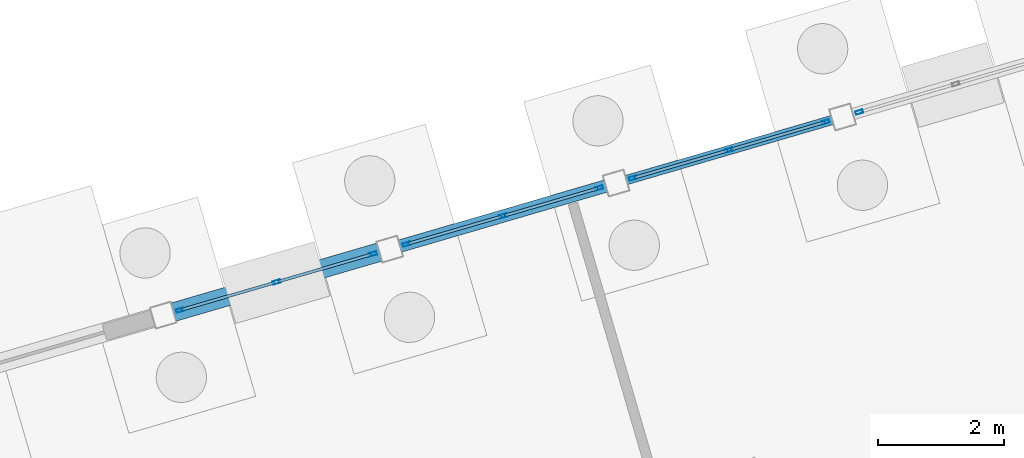
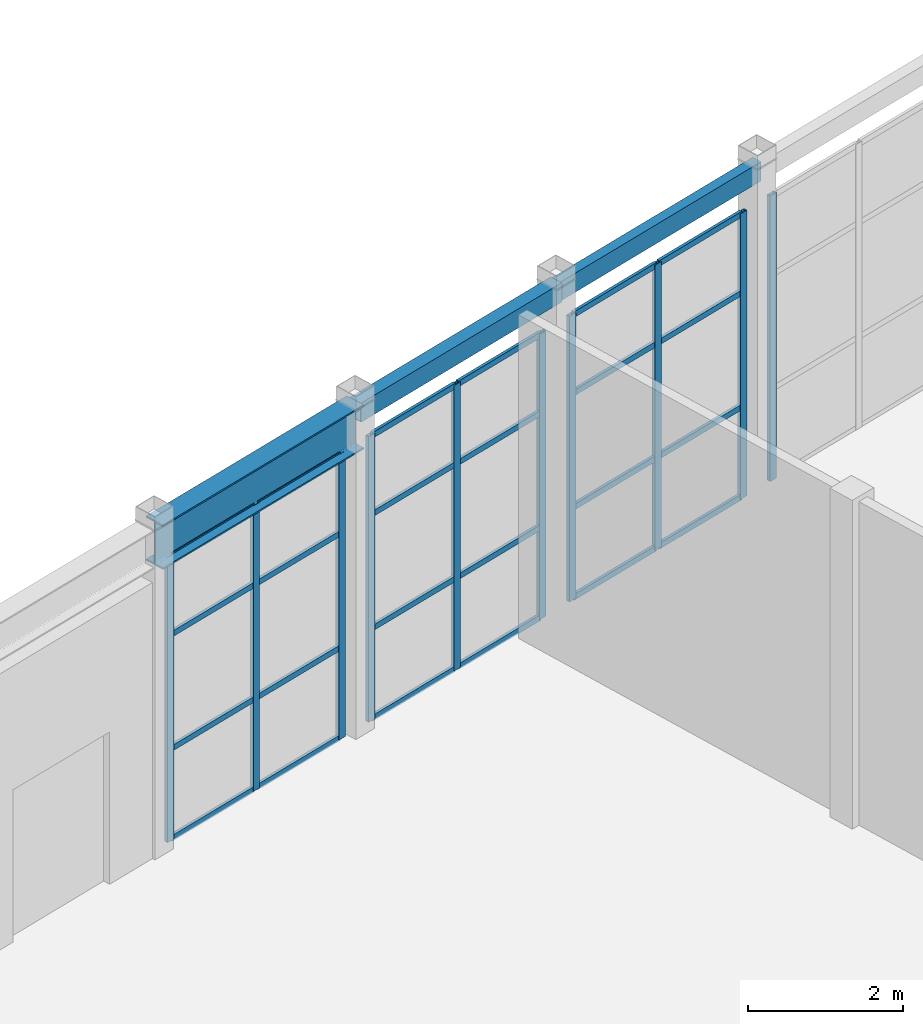
# One storey, part 41 of 90: 34 members, 3 beams, 4 elements without a shape of their own.
"""IFC4 building model written with IfcOpenShell, lengths in metres."""

from ifc_helpers import new_model, si_unit, direction, frame, origin, origin_2d, place, context, subcontext, project, spatial, hollow_rectangle, i_section, extrude, material, layer, layer_set, material_profile, profile_set, type_object, element, aggregate, save


model = new_model("IFC4")

# Units and contexts
model_context = context("Model", 3, precision=1e-05, world=origin(), true_north=direction((0.0, 1.0)))
body_context = subcontext(model_context, "Body", "Model", "MODEL_VIEW")
ifc_project = project(units=[si_unit("LENGTHUNIT", "METRE"), si_unit("AREAUNIT", "SQUARE_METRE"), si_unit("VOLUMEUNIT", "CUBIC_METRE"), si_unit("PLANEANGLEUNIT", "RADIAN"), si_unit("MASSUNIT", "GRAM", prefix="KILO")], contexts=[model_context])

# Site, building, storey
site_placement = place(None, origin())
site = spatial("IfcSite", under=ifc_project, at=site_placement, CompositionType="ELEMENT")
building_placement = place(site_placement, origin())
building = spatial("IfcBuilding", under=site, at=building_placement, Name="Canggui Botanical Conservatory", CompositionType="ELEMENT")
storey_placement = place(building_placement, origin())
storey = spatial("IfcBuildingStorey", under=building, at=storey_placement, Name="L01", CompositionType="ELEMENT", Elevation=0.0)

# Beams
ifc_material_1 = material(Name="Steel Q355B", Category="steel")
ifc_material_profile_1 = material_profile(ifc_material_1, i_section(OverallWidth=0.300048828125, OverallDepth=0.699951171875, WebThickness=0.012939453125, FlangeThickness=0.02392578125, FilletRadius=0.02587890625, at=origin_2d()), Name="HN 700x300x13x24")
ifc_profile_set_1 = profile_set([ifc_material_profile_1], Name="Steel Q355B")
beam_type_1 = type_object("IfcBeamType", Name="BM-GL10", PredefinedType="BEAM", material=ifc_profile_set_1)
beam_1_placement = place(storey_placement, frame((22.39990234375, 73.949951171875, 4.824951171875), z_axis=(0.959998541695, 0.280004999853, 0.0), x_axis=(-0.280004999853, 0.959998541695, 0.0)))
element("IfcBeam", 1, at=beam_1_placement, inside=storey, type_object=beam_type_1, Name="Conservatory Skywalk Perimeter Girder V1-04", PredefinedType="BEAM", context=body_context, shape_type="SweptSolid", body=[
    extrude(i_section(OverallWidth=0.300048828125, OverallDepth=0.699951171875, WebThickness=0.012939453125, FlangeThickness=0.02392578125, FilletRadius=0.02587890625, at=origin_2d()), origin(), (0.0, 0.0, 1.0), 3.75),
])
ifc_material_profile_2 = material_profile(ifc_material_1, hollow_rectangle(XDim=0.199951171875, YDim=0.300048828125, WallThickness=0.010009765625, at=origin_2d()), Name="RHS 200x300x10")
ifc_profile_set_2 = profile_set([ifc_material_profile_2], Name="Steel Q355B")
beam_type_2 = type_object("IfcBeamType", Name="BM-GL11", PredefinedType="BEAM", material=ifc_profile_set_2)
beam_2_placement = place(storey_placement, frame((26.0, 75.0, 5.02490234375), z_axis=(0.959998541695, 0.280004999853, 0.0), x_axis=(-0.280004999853, 0.959998541695, 0.0)))
element("IfcBeam", 2, at=beam_2_placement, inside=storey, type_object=beam_type_2, Name="Conservatory Skywalk Perimeter Girder V1-05", PredefinedType="BEAM", context=body_context, shape_type="SweptSolid", body=[
    extrude(hollow_rectangle(XDim=0.199951171875, YDim=0.300048828125, WallThickness=0.010009765625, at=origin_2d()), origin(), (0.0, 0.0, 1.0), 3.75),
])
ifc_material_profile_3 = material_profile(ifc_material_1, hollow_rectangle(XDim=0.14990234375, YDim=0.300048828125, WallThickness=0.010009765625, at=origin_2d()), Name="RHS 150x300x10")
ifc_profile_set_3 = profile_set([ifc_material_profile_3], Name="Steel Q355B")
beam_type_3 = type_object("IfcBeamType", Name="BM-GL12", PredefinedType="BEAM", material=ifc_profile_set_3)
beam_3_placement = place(storey_placement, frame((29.60009765625, 76.050048828125, 5.02490234375), z_axis=(0.959993437014, 0.280022500685, 0.0), x_axis=(-0.280022500685, 0.959993437014, 0.0)))
element("IfcBeam", 3, at=beam_3_placement, inside=storey, type_object=beam_type_3, Name="Conservatory Skywalk Perimeter Girder V1-06", PredefinedType="BEAM", context=body_context, shape_type="SweptSolid", body=[
    extrude(hollow_rectangle(XDim=0.14990234375, YDim=0.300048828125, WallThickness=0.010009765625, at=origin_2d()), origin(), (0.0, 0.0, 1.0), 3.749755859375),
])

# Curtain wall, members
ifc_material_2 = material(Name="Thermally Broken Aluminium", Category="aluminium")
ifc_layer = layer(ifc_material_2, 0.1201171875, Name="Thermally Broken Aluminium", Category="aluminium")
ifc_layer_set = layer_set([ifc_layer], Name="Thermally Broken Aluminium")
curtain_wall_type = type_object("IfcCurtainWallType", Name="CW-STICK-B", PredefinedType="USERDEFINED", material=ifc_layer_set)
curtain_wall_1_placement = place(storey_placement, origin())
curtain_wall_1 = element("IfcCurtainWall", 4, at=curtain_wall_1_placement, inside=storey, type_object=curtain_wall_type, Name="Facade Curtain Wall CW-CONS-L01-V1-04", ObjectType="STICK GLAZED WALL", PredefinedType="USERDEFINED")
ifc_material_profile_4 = material_profile(ifc_material_2, hollow_rectangle(XDim=0.054931640625, YDim=0.1201171875, WallThickness=0.0029296875, at=origin_2d()), Name="CWM 55x120x3")
ifc_profile_set_4 = profile_set([ifc_material_profile_4], Name="Thermally Broken Aluminium")
member_type_1 = type_object("IfcMemberType", Name="CWM-05", PredefinedType="MULLION", material=ifc_profile_set_4)
member_1_placement = place(storey_placement, frame((22.66650390625, 74.027587890625, 0.0), z_axis=(0.0, 0.0, 1.0), x_axis=(-0.279999999995, 0.960000000002, 0.0)))
member_1 = element("IfcMember", 5, at=member_1_placement, type_object=member_type_1, Name="CW-05 mullion 1", PredefinedType="MULLION", context=body_context, shape_type="SweptSolid", body=[
    extrude(hollow_rectangle(XDim=0.054931640625, YDim=0.1201171875, WallThickness=0.0029296875, at=origin_2d()), origin(), (0.0, 0.0, 1.0), 4.5),
])
member_2_placement = place(storey_placement, frame((24.199951171875, 74.47509765625, 0.0), z_axis=(0.0, 0.0, 1.0), x_axis=(-0.279999999995, 0.960000000002, 0.0)))
member_2 = element("IfcMember", 6, at=member_2_placement, type_object=member_type_1, Name="CW-05 mullion 2", PredefinedType="MULLION", context=body_context, shape_type="SweptSolid", body=[
    extrude(hollow_rectangle(XDim=0.054931640625, YDim=0.1201171875, WallThickness=0.0029296875, at=origin_2d()), origin(), (0.0, 0.0, 1.0), 4.5),
])
member_3_placement = place(storey_placement, frame((25.733642578125, 74.92236328125, 0.0), z_axis=(0.0, 0.0, 1.0), x_axis=(-0.279999999995, 0.960000000002, 0.0)))
member_3 = element("IfcMember", 7, at=member_3_placement, type_object=member_type_1, Name="CW-05 mullion 3", PredefinedType="MULLION", context=body_context, shape_type="SweptSolid", body=[
    extrude(hollow_rectangle(XDim=0.054931640625, YDim=0.1201171875, WallThickness=0.0029296875, at=origin_2d()), origin(), (0.0, 0.0, 1.0), 4.5),
])

curtain_wall_2_placement = place(storey_placement, origin())
curtain_wall_2 = element("IfcCurtainWall", 8, at=curtain_wall_2_placement, inside=storey, type_object=curtain_wall_type, Name="Facade Curtain Wall CW-CONS-L01-V1-05", ObjectType="STICK GLAZED WALL", PredefinedType="USERDEFINED")
member_4_placement = place(storey_placement, frame((26.266357421875, 75.07763671875, 0.0), z_axis=(0.0, 0.0, 1.0), x_axis=(-0.279999999995, 0.960000000002, 0.0)))
member_4 = element("IfcMember", 9, at=member_4_placement, type_object=member_type_1, Name="CW-05 mullion 1", PredefinedType="MULLION", context=body_context, shape_type="SweptSolid", body=[
    extrude(hollow_rectangle(XDim=0.054931640625, YDim=0.1201171875, WallThickness=0.0029296875, at=origin_2d()), origin(), (0.0, 0.0, 1.0), 4.5),
])
member_5_placement = place(storey_placement, frame((27.800048828125, 75.52490234375, 0.0), z_axis=(0.0, 0.0, 1.0), x_axis=(-0.279999999995, 0.960000000002, 0.0)))
member_5 = element("IfcMember", 10, at=member_5_placement, type_object=member_type_1, Name="CW-05 mullion 2", PredefinedType="MULLION", context=body_context, shape_type="SweptSolid", body=[
    extrude(hollow_rectangle(XDim=0.054931640625, YDim=0.1201171875, WallThickness=0.0029296875, at=origin_2d()), origin(), (0.0, 0.0, 1.0), 4.5),
])
member_6_placement = place(storey_placement, frame((29.33349609375, 75.972412109375, 0.0), z_axis=(0.0, 0.0, 1.0), x_axis=(-0.279999999995, 0.960000000002, 0.0)))
member_6 = element("IfcMember", 11, at=member_6_placement, type_object=member_type_1, Name="CW-05 mullion 3", PredefinedType="MULLION", context=body_context, shape_type="SweptSolid", body=[
    extrude(hollow_rectangle(XDim=0.054931640625, YDim=0.1201171875, WallThickness=0.0029296875, at=origin_2d()), origin(), (0.0, 0.0, 1.0), 4.5),
])

curtain_wall_3_placement = place(storey_placement, origin())
curtain_wall_3 = element("IfcCurtainWall", 12, at=curtain_wall_3_placement, inside=storey, type_object=curtain_wall_type, Name="Facade Curtain Wall CW-CONS-L01-V1-06", ObjectType="STICK GLAZED WALL", PredefinedType="USERDEFINED")
member_7_placement = place(storey_placement, frame((29.866455078125, 76.127685546875, 0.0), z_axis=(0.0, 0.0, 1.0), x_axis=(-0.279999999995, 0.960000000002, 0.0)))
member_7 = element("IfcMember", 13, at=member_7_placement, type_object=member_type_1, Name="CW-05 mullion 1", PredefinedType="MULLION", context=body_context, shape_type="SweptSolid", body=[
    extrude(hollow_rectangle(XDim=0.054931640625, YDim=0.1201171875, WallThickness=0.0029296875, at=origin_2d()), origin(), (0.0, 0.0, 1.0), 4.5),
])
member_8_placement = place(storey_placement, frame((31.39990234375, 76.574951171875, 0.0), z_axis=(0.0, 0.0, 1.0), x_axis=(-0.279999999995, 0.960000000002, 0.0)))
member_8 = element("IfcMember", 14, at=member_8_placement, type_object=member_type_1, Name="CW-05 mullion 2", PredefinedType="MULLION", context=body_context, shape_type="SweptSolid", body=[
    extrude(hollow_rectangle(XDim=0.054931640625, YDim=0.1201171875, WallThickness=0.0029296875, at=origin_2d()), origin(), (0.0, 0.0, 1.0), 4.5),
])
member_9_placement = place(storey_placement, frame((32.93359375, 77.022216796875, 0.0), z_axis=(0.0, 0.0, 1.0), x_axis=(-0.279999999995, 0.960000000002, 0.0)))
member_9 = element("IfcMember", 15, at=member_9_placement, type_object=member_type_1, Name="CW-05 mullion 3", PredefinedType="MULLION", context=body_context, shape_type="SweptSolid", body=[
    extrude(hollow_rectangle(XDim=0.054931640625, YDim=0.1201171875, WallThickness=0.0029296875, at=origin_2d()), origin(), (0.0, 0.0, 1.0), 4.5),
])

# Curtain wall, member
curtain_wall_4_placement = place(storey_placement, origin())
curtain_wall_4 = element("IfcCurtainWall", 16, at=curtain_wall_4_placement, inside=storey, type_object=curtain_wall_type, Name="Facade Curtain Wall CW-CONS-L01-V1-07", ObjectType="STICK GLAZED WALL", PredefinedType="USERDEFINED")
member_10_placement = place(storey_placement, frame((33.46630859375, 77.177734375, 0.0), z_axis=(0.0, 0.0, 1.0), x_axis=(-0.279999999995, 0.960000000002, 0.0)))
member_10 = element("IfcMember", 17, at=member_10_placement, type_object=member_type_1, Name="CW-05 mullion 1", PredefinedType="MULLION", context=body_context, shape_type="SweptSolid", body=[
    extrude(hollow_rectangle(XDim=0.054931640625, YDim=0.1201171875, WallThickness=0.0029296875, at=origin_2d()), origin(), (0.0, 0.0, 1.0), 4.5),
])
aggregate(curtain_wall_4, [member_10])

# Member
ifc_material_profile_5 = material_profile(ifc_material_2, hollow_rectangle(XDim=0.044921875, YDim=0.090087890625, WallThickness=0.0029296875, at=origin_2d()), Name="CWT 45x90x3")
ifc_profile_set_5 = profile_set([ifc_material_profile_5], Name="Thermally Broken Aluminium")
member_type_2 = type_object("IfcMemberType", Name="CWT-05", PredefinedType="USERDEFINED", material=ifc_profile_set_5)
member_11_placement = place(storey_placement, frame((22.69287109375, 74.035400390625, 0.0224609375), z_axis=(0.959998227189, 0.280006078137, 0.0), x_axis=(-0.280006078137, 0.959998227189, 0.0)))
member_11 = element("IfcMember", 18, at=member_11_placement, type_object=member_type_2, Name="CW-05 transom 1.1", ObjectType="TRANSOM", PredefinedType="USERDEFINED", context=body_context, shape_type="SweptSolid", body=[
    extrude(hollow_rectangle(XDim=0.044921875, YDim=0.090087890625, WallThickness=0.0029296875, at=origin_2d()), origin(), (0.0, 0.0, 1.0), 1.54248046875),
])

member_12_placement = place(storey_placement, frame((22.69287109375, 74.035400390625, 1.43994140625), z_axis=(0.959998227189, 0.280006078137, 0.0), x_axis=(-0.280006078137, 0.959998227189, 0.0)))
member_12 = element("IfcMember", 19, at=member_12_placement, type_object=member_type_2, Name="CW-05 transom 1.2", ObjectType="TRANSOM", PredefinedType="USERDEFINED", context=body_context, shape_type="SweptSolid", body=[
    extrude(hollow_rectangle(XDim=0.044921875, YDim=0.090087890625, WallThickness=0.0029296875, at=origin_2d()), origin(), (0.0, 0.0, 1.0), 1.54248046875),
])

member_13_placement = place(storey_placement, frame((22.69287109375, 74.035400390625, 3.239990234375), z_axis=(0.959998227189, 0.280006078137, 0.0), x_axis=(-0.280006078137, 0.959998227189, 0.0)))
member_13 = element("IfcMember", 20, at=member_13_placement, type_object=member_type_2, Name="CW-05 transom 1.3", ObjectType="TRANSOM", PredefinedType="USERDEFINED", context=body_context, shape_type="SweptSolid", body=[
    extrude(hollow_rectangle(XDim=0.044921875, YDim=0.090087890625, WallThickness=0.0029296875, at=origin_2d()), origin(), (0.0, 0.0, 1.0), 1.54248046875),
])

member_14_placement = place(storey_placement, frame((22.69287109375, 74.035400390625, 4.4775390625), z_axis=(0.959998227189, 0.280006078137, 0.0), x_axis=(-0.280006078137, 0.959998227189, 0.0)))
member_14 = element("IfcMember", 21, at=member_14_placement, type_object=member_type_2, Name="CW-05 transom 1.4", ObjectType="TRANSOM", PredefinedType="USERDEFINED", context=body_context, shape_type="SweptSolid", body=[
    extrude(hollow_rectangle(XDim=0.044921875, YDim=0.090087890625, WallThickness=0.0029296875, at=origin_2d()), origin(), (0.0, 0.0, 1.0), 1.54248046875),
])

member_15_placement = place(storey_placement, frame((24.226318359375, 74.482666015625, 0.0224609375), z_axis=(0.96001063444, 0.279963536486, 0.0), x_axis=(-0.279963536486, 0.96001063444, 0.0)))
member_15 = element("IfcMember", 22, at=member_15_placement, type_object=member_type_2, Name="CW-05 transom 2.1", ObjectType="TRANSOM", PredefinedType="USERDEFINED", context=body_context, shape_type="SweptSolid", body=[
    extrude(hollow_rectangle(XDim=0.044921875, YDim=0.090087890625, WallThickness=0.0029296875, at=origin_2d()), origin(), (0.0, 0.0, 1.0), 1.542724609375),
])

member_16_placement = place(storey_placement, frame((24.226318359375, 74.482666015625, 1.43994140625), z_axis=(0.96001063444, 0.279963536486, 0.0), x_axis=(-0.279963536486, 0.96001063444, 0.0)))
member_16 = element("IfcMember", 23, at=member_16_placement, type_object=member_type_2, Name="CW-05 transom 2.2", ObjectType="TRANSOM", PredefinedType="USERDEFINED", context=body_context, shape_type="SweptSolid", body=[
    extrude(hollow_rectangle(XDim=0.044921875, YDim=0.090087890625, WallThickness=0.0029296875, at=origin_2d()), origin(), (0.0, 0.0, 1.0), 1.542724609375),
])

member_17_placement = place(storey_placement, frame((24.226318359375, 74.482666015625, 3.239990234375), z_axis=(0.96001063444, 0.279963536486, 0.0), x_axis=(-0.279963536486, 0.96001063444, 0.0)))
member_17 = element("IfcMember", 24, at=member_17_placement, type_object=member_type_2, Name="CW-05 transom 2.3", ObjectType="TRANSOM", PredefinedType="USERDEFINED", context=body_context, shape_type="SweptSolid", body=[
    extrude(hollow_rectangle(XDim=0.044921875, YDim=0.090087890625, WallThickness=0.0029296875, at=origin_2d()), origin(), (0.0, 0.0, 1.0), 1.542724609375),
])

member_18_placement = place(storey_placement, frame((24.226318359375, 74.482666015625, 4.4775390625), z_axis=(0.96001063444, 0.279963536486, 0.0), x_axis=(-0.279963536486, 0.96001063444, 0.0)))
member_18 = element("IfcMember", 25, at=member_18_placement, type_object=member_type_2, Name="CW-05 transom 2.4", ObjectType="TRANSOM", PredefinedType="USERDEFINED", context=body_context, shape_type="SweptSolid", body=[
    extrude(hollow_rectangle(XDim=0.044921875, YDim=0.090087890625, WallThickness=0.0029296875, at=origin_2d()), origin(), (0.0, 0.0, 1.0), 1.542724609375),
])

aggregate(curtain_wall_1, [member_1, member_2, member_3, member_11, member_12, member_13, member_14, member_15, member_16, member_17, member_18])

member_19_placement = place(storey_placement, frame((26.292724609375, 75.08544921875, 0.0224609375), z_axis=(0.96001063444, 0.279963536486, 0.0), x_axis=(-0.279963536486, 0.96001063444, 0.0)))
member_19 = element("IfcMember", 26, at=member_19_placement, type_object=member_type_2, Name="CW-05 transom 1.1", ObjectType="TRANSOM", PredefinedType="USERDEFINED", context=body_context, shape_type="SweptSolid", body=[
    extrude(hollow_rectangle(XDim=0.044921875, YDim=0.090087890625, WallThickness=0.0029296875, at=origin_2d()), origin(), (0.0, 0.0, 1.0), 1.542724609375),
])

member_20_placement = place(storey_placement, frame((26.292724609375, 75.08544921875, 1.43994140625), z_axis=(0.96001063444, 0.279963536486, 0.0), x_axis=(-0.279963536486, 0.96001063444, 0.0)))
member_20 = element("IfcMember", 27, at=member_20_placement, type_object=member_type_2, Name="CW-05 transom 1.2", ObjectType="TRANSOM", PredefinedType="USERDEFINED", context=body_context, shape_type="SweptSolid", body=[
    extrude(hollow_rectangle(XDim=0.044921875, YDim=0.090087890625, WallThickness=0.0029296875, at=origin_2d()), origin(), (0.0, 0.0, 1.0), 1.542724609375),
])

member_21_placement = place(storey_placement, frame((26.292724609375, 75.08544921875, 3.239990234375), z_axis=(0.96001063444, 0.279963536486, 0.0), x_axis=(-0.279963536486, 0.96001063444, 0.0)))
member_21 = element("IfcMember", 28, at=member_21_placement, type_object=member_type_2, Name="CW-05 transom 1.3", ObjectType="TRANSOM", PredefinedType="USERDEFINED", context=body_context, shape_type="SweptSolid", body=[
    extrude(hollow_rectangle(XDim=0.044921875, YDim=0.090087890625, WallThickness=0.0029296875, at=origin_2d()), origin(), (0.0, 0.0, 1.0), 1.542724609375),
])

member_22_placement = place(storey_placement, frame((26.292724609375, 75.08544921875, 4.4775390625), z_axis=(0.96001063444, 0.279963536486, 0.0), x_axis=(-0.279963536486, 0.96001063444, 0.0)))
member_22 = element("IfcMember", 29, at=member_22_placement, type_object=member_type_2, Name="CW-05 transom 1.4", ObjectType="TRANSOM", PredefinedType="USERDEFINED", context=body_context, shape_type="SweptSolid", body=[
    extrude(hollow_rectangle(XDim=0.044921875, YDim=0.090087890625, WallThickness=0.0029296875, at=origin_2d()), origin(), (0.0, 0.0, 1.0), 1.542724609375),
])

member_23_placement = place(storey_placement, frame((27.826416015625, 75.53271484375, 0.0224609375), z_axis=(0.959998227189, 0.280006078137, 0.0), x_axis=(-0.280006078137, 0.959998227189, 0.0)))
member_23 = element("IfcMember", 30, at=member_23_placement, type_object=member_type_2, Name="CW-05 transom 2.1", ObjectType="TRANSOM", PredefinedType="USERDEFINED", context=body_context, shape_type="SweptSolid", body=[
    extrude(hollow_rectangle(XDim=0.044921875, YDim=0.090087890625, WallThickness=0.0029296875, at=origin_2d()), origin(), (0.0, 0.0, 1.0), 1.54248046875),
])

member_24_placement = place(storey_placement, frame((27.826416015625, 75.53271484375, 1.43994140625), z_axis=(0.959998227189, 0.280006078137, 0.0), x_axis=(-0.280006078137, 0.959998227189, 0.0)))
member_24 = element("IfcMember", 31, at=member_24_placement, type_object=member_type_2, Name="CW-05 transom 2.2", ObjectType="TRANSOM", PredefinedType="USERDEFINED", context=body_context, shape_type="SweptSolid", body=[
    extrude(hollow_rectangle(XDim=0.044921875, YDim=0.090087890625, WallThickness=0.0029296875, at=origin_2d()), origin(), (0.0, 0.0, 1.0), 1.54248046875),
])

member_25_placement = place(storey_placement, frame((27.826416015625, 75.53271484375, 3.239990234375), z_axis=(0.959998227189, 0.280006078137, 0.0), x_axis=(-0.280006078137, 0.959998227189, 0.0)))
member_25 = element("IfcMember", 32, at=member_25_placement, type_object=member_type_2, Name="CW-05 transom 2.3", ObjectType="TRANSOM", PredefinedType="USERDEFINED", context=body_context, shape_type="SweptSolid", body=[
    extrude(hollow_rectangle(XDim=0.044921875, YDim=0.090087890625, WallThickness=0.0029296875, at=origin_2d()), origin(), (0.0, 0.0, 1.0), 1.54248046875),
])

member_26_placement = place(storey_placement, frame((27.826416015625, 75.53271484375, 4.4775390625), z_axis=(0.959998227189, 0.280006078137, 0.0), x_axis=(-0.280006078137, 0.959998227189, 0.0)))
member_26 = element("IfcMember", 33, at=member_26_placement, type_object=member_type_2, Name="CW-05 transom 2.4", ObjectType="TRANSOM", PredefinedType="USERDEFINED", context=body_context, shape_type="SweptSolid", body=[
    extrude(hollow_rectangle(XDim=0.044921875, YDim=0.090087890625, WallThickness=0.0029296875, at=origin_2d()), origin(), (0.0, 0.0, 1.0), 1.54248046875),
])

aggregate(curtain_wall_2, [member_4, member_5, member_6, member_19, member_20, member_21, member_22, member_23, member_24, member_25, member_26])

member_27_placement = place(storey_placement, frame((29.892822265625, 76.135498046875, 0.0224609375), z_axis=(0.959998227189, 0.280006078137, 0.0), x_axis=(-0.280006078137, 0.959998227189, 0.0)))
member_27 = element("IfcMember", 34, at=member_27_placement, type_object=member_type_2, Name="CW-05 transom 1.1", ObjectType="TRANSOM", PredefinedType="USERDEFINED", context=body_context, shape_type="SweptSolid", body=[
    extrude(hollow_rectangle(XDim=0.044921875, YDim=0.090087890625, WallThickness=0.0029296875, at=origin_2d()), origin(), (0.0, 0.0, 1.0), 1.54248046875),
])

member_28_placement = place(storey_placement, frame((29.892822265625, 76.135498046875, 1.43994140625), z_axis=(0.959998227189, 0.280006078137, 0.0), x_axis=(-0.280006078137, 0.959998227189, 0.0)))
member_28 = element("IfcMember", 35, at=member_28_placement, type_object=member_type_2, Name="CW-05 transom 1.2", ObjectType="TRANSOM", PredefinedType="USERDEFINED", context=body_context, shape_type="SweptSolid", body=[
    extrude(hollow_rectangle(XDim=0.044921875, YDim=0.090087890625, WallThickness=0.0029296875, at=origin_2d()), origin(), (0.0, 0.0, 1.0), 1.54248046875),
])

member_29_placement = place(storey_placement, frame((29.892822265625, 76.135498046875, 3.239990234375), z_axis=(0.959998227189, 0.280006078137, 0.0), x_axis=(-0.280006078137, 0.959998227189, 0.0)))
member_29 = element("IfcMember", 36, at=member_29_placement, type_object=member_type_2, Name="CW-05 transom 1.3", ObjectType="TRANSOM", PredefinedType="USERDEFINED", context=body_context, shape_type="SweptSolid", body=[
    extrude(hollow_rectangle(XDim=0.044921875, YDim=0.090087890625, WallThickness=0.0029296875, at=origin_2d()), origin(), (0.0, 0.0, 1.0), 1.54248046875),
])

member_30_placement = place(storey_placement, frame((29.892822265625, 76.135498046875, 4.4775390625), z_axis=(0.959998227189, 0.280006078137, 0.0), x_axis=(-0.280006078137, 0.959998227189, 0.0)))
member_30 = element("IfcMember", 37, at=member_30_placement, type_object=member_type_2, Name="CW-05 transom 1.4", ObjectType="TRANSOM", PredefinedType="USERDEFINED", context=body_context, shape_type="SweptSolid", body=[
    extrude(hollow_rectangle(XDim=0.044921875, YDim=0.090087890625, WallThickness=0.0029296875, at=origin_2d()), origin(), (0.0, 0.0, 1.0), 1.54248046875),
])

member_31_placement = place(storey_placement, frame((31.426513671875, 76.582763671875, 0.0224609375), z_axis=(0.959998227189, 0.280006078137, 0.0), x_axis=(-0.280006078137, 0.959998227189, 0.0)))
member_31 = element("IfcMember", 38, at=member_31_placement, type_object=member_type_2, Name="CW-05 transom 2.1", ObjectType="TRANSOM", PredefinedType="USERDEFINED", context=body_context, shape_type="SweptSolid", body=[
    extrude(hollow_rectangle(XDim=0.044921875, YDim=0.090087890625, WallThickness=0.0029296875, at=origin_2d()), origin(), (0.0, 0.0, 1.0), 1.54248046875),
])

member_32_placement = place(storey_placement, frame((31.426513671875, 76.582763671875, 1.43994140625), z_axis=(0.959998227189, 0.280006078137, 0.0), x_axis=(-0.280006078137, 0.959998227189, 0.0)))
member_32 = element("IfcMember", 39, at=member_32_placement, type_object=member_type_2, Name="CW-05 transom 2.2", ObjectType="TRANSOM", PredefinedType="USERDEFINED", context=body_context, shape_type="SweptSolid", body=[
    extrude(hollow_rectangle(XDim=0.044921875, YDim=0.090087890625, WallThickness=0.0029296875, at=origin_2d()), origin(), (0.0, 0.0, 1.0), 1.54248046875),
])

member_33_placement = place(storey_placement, frame((31.426513671875, 76.582763671875, 3.239990234375), z_axis=(0.959998227189, 0.280006078137, 0.0), x_axis=(-0.280006078137, 0.959998227189, 0.0)))
member_33 = element("IfcMember", 40, at=member_33_placement, type_object=member_type_2, Name="CW-05 transom 2.3", ObjectType="TRANSOM", PredefinedType="USERDEFINED", context=body_context, shape_type="SweptSolid", body=[
    extrude(hollow_rectangle(XDim=0.044921875, YDim=0.090087890625, WallThickness=0.0029296875, at=origin_2d()), origin(), (0.0, 0.0, 1.0), 1.54248046875),
])

member_34_placement = place(storey_placement, frame((31.426513671875, 76.582763671875, 4.4775390625), z_axis=(0.959998227189, 0.280006078137, 0.0), x_axis=(-0.280006078137, 0.959998227189, 0.0)))
member_34 = element("IfcMember", 41, at=member_34_placement, type_object=member_type_2, Name="CW-05 transom 2.4", ObjectType="TRANSOM", PredefinedType="USERDEFINED", context=body_context, shape_type="SweptSolid", body=[
    extrude(hollow_rectangle(XDim=0.044921875, YDim=0.090087890625, WallThickness=0.0029296875, at=origin_2d()), origin(), (0.0, 0.0, 1.0), 1.54248046875),
])

aggregate(curtain_wall_3, [member_7, member_8, member_9, member_27, member_28, member_29, member_30, member_31, member_32, member_33, member_34])

save(model, "model.ifc")
